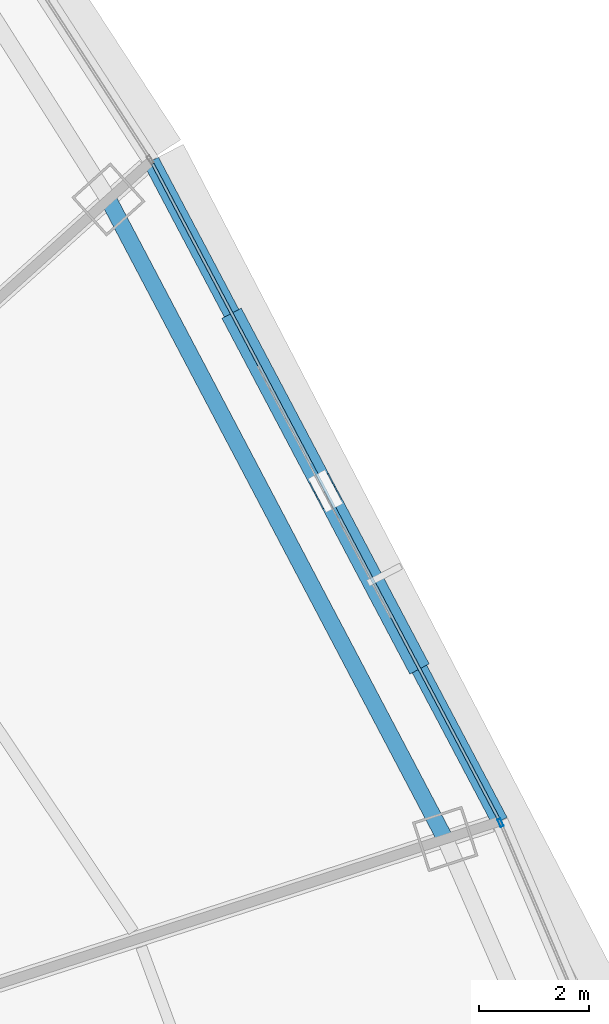
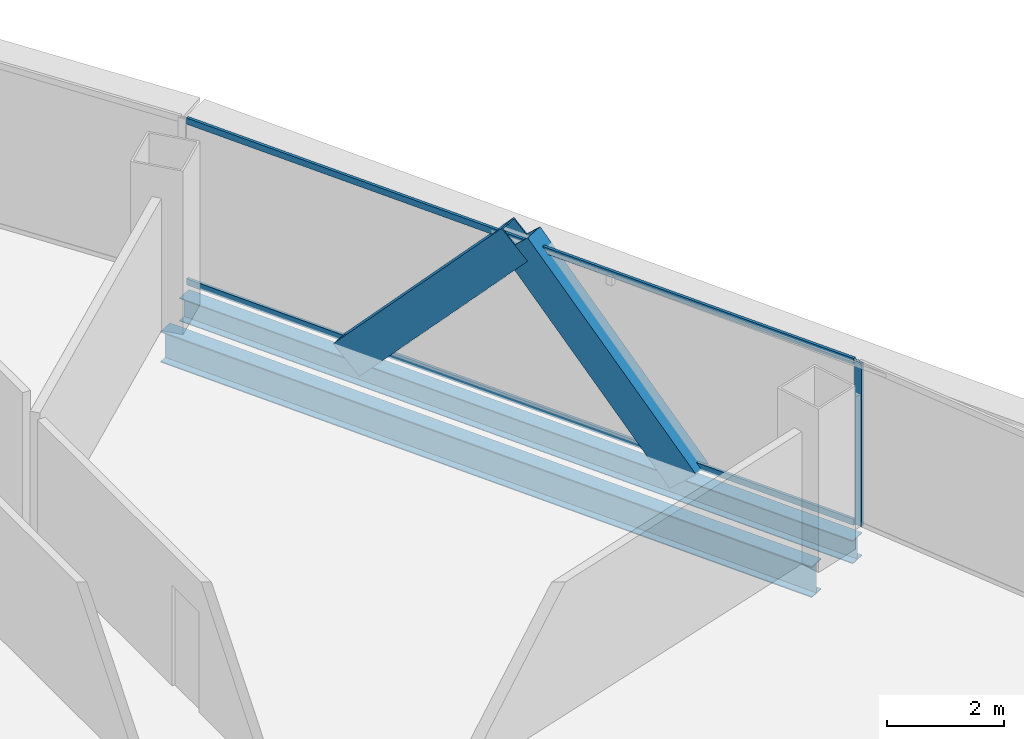
# One storey, part 28 of 39: 5 members, 2 beams, 2 elements without a shape of their own.
"""IFC4 building model written with IfcOpenShell, lengths in metres."""

from ifc_helpers import new_model, si_unit, direction, frame, origin, origin_2d, place, context, subcontext, project, spatial, hollow_rectangle, i_section, extrude, source, transform, mapped, material, layer, layer_set, material_profile, profile_set, type_object, element, aggregate, save


model = new_model("IFC4")

# Units and contexts
model_context = context("Model", 3, precision=1e-05, world=origin(), true_north=direction((0.0, 1.0)))
body_context = subcontext(model_context, "Body", "Model", "MODEL_VIEW")
ifc_project = project(units=[si_unit("LENGTHUNIT", "METRE"), si_unit("AREAUNIT", "SQUARE_METRE"), si_unit("VOLUMEUNIT", "CUBIC_METRE"), si_unit("PLANEANGLEUNIT", "RADIAN"), si_unit("MASSUNIT", "GRAM", prefix="KILO"), si_unit("THERMODYNAMICTEMPERATUREUNIT", "KELVIN"), si_unit("POWERUNIT", "WATT")], contexts=[model_context])

# Site, building, storey
site_placement = place(None, origin())
site = spatial("IfcSite", under=ifc_project, at=site_placement, CompositionType="ELEMENT")
building_placement = place(site_placement, origin())
building = spatial("IfcBuilding", under=site, at=building_placement, Name="Yunzhuo Pagoda Commons", CompositionType="ELEMENT")
storey_placement = place(building_placement, frame((0.0, 0.0, 162.949951171875)))
storey = spatial("IfcBuildingStorey", under=building, at=storey_placement, Name="L41", CompositionType="ELEMENT", Elevation=162.949951171875)

# Beams
ifc_material_1 = material(Name="Structural steel Q355B", Category="steel")
ifc_material_profile_1 = material_profile(ifc_material_1, i_section(OverallWidth=0.300048828125, OverallDepth=0.64990234375, WebThickness=0.012939453125, FlangeThickness=0.02197265625, at=origin_2d()), Name="Structural steel Q355B")
ifc_profile_set_1 = profile_set([ifc_material_profile_1], Name="Structural steel Q355B")
beam_type_1 = type_object("IfcBeamType", Name="B-RG2 Beam HN 650x300x13x22", PredefinedType="BEAM", material=ifc_profile_set_1)
shared_shape_1 = source(origin(), body_context, "Body", "SweptSolid", [
    extrude(i_section(OverallWidth=0.300048828125, OverallDepth=0.64990234375, WebThickness=0.012939453125, FlangeThickness=0.02197265625, at=origin_2d()), origin(), (0.0, 0.0, 1.0), 13.198974609375),
])
beam_1_placement = place(storey_placement, frame((77.915283203125, 43.420166015625, -0.5849609375), z_axis=(-0.465885937554, 0.884844784801, 0.0), x_axis=(-0.884844784801, -0.465885937554, 0.0)))
element("IfcBeam", 1, at=beam_1_placement, inside=storey, type_object=beam_type_1, Name="L41 column-ring beam 6", PredefinedType="BEAM", context=body_context, shape_type="MappedRepresentation", body=[
    mapped(shared_shape_1, transform((0.0, 0.0, 0.0), scale=1.0)),
])
ifc_material_profile_2 = material_profile(ifc_material_1, i_section(OverallWidth=0.300048828125, OverallDepth=0.488037109375, WebThickness=0.010986328125, FlangeThickness=0.01806640625, at=origin_2d()), Name="Structural steel Q355B")
ifc_profile_set_2 = profile_set([ifc_material_profile_2], Name="Structural steel Q355B")
beam_type_2 = type_object("IfcBeamType", Name="B-SP1 Beam HM 488x300x11x18", PredefinedType="BEAM", material=ifc_profile_set_2)
shared_shape_2 = source(origin(), body_context, "Body", "SweptSolid", [
    extrude(i_section(OverallWidth=0.300048828125, OverallDepth=0.488037109375, WebThickness=0.010986328125, FlangeThickness=0.01806640625, at=origin_2d()), origin(), (0.0, 0.0, 1.0), 13.63525390625),
])
beam_2_placement = place(storey_placement, frame((78.913818359375, 43.74462890625, -0.50390625), z_axis=(-0.466985007002, 0.884265233533, 0.0), x_axis=(-0.884265233533, -0.466985007002, 0.0)))
element("IfcBeam", 2, at=beam_2_placement, inside=storey, type_object=beam_type_2, Name="L41 facade edge spandrel beam F2.2", PredefinedType="BEAM", context=body_context, shape_type="MappedRepresentation", body=[
    mapped(shared_shape_2, transform((0.0, 0.0, 0.0), scale=1.0)),
])

# Members
ifc_material_profile_3 = material_profile(ifc_material_1, hollow_rectangle(XDim=0.39990234375, YDim=0.719970703125, WallThickness=0.02392578125, at=origin_2d()), Name="Structural steel Q355B")
ifc_profile_set_3 = profile_set([ifc_material_profile_3], Name="Structural steel Q355B")
member_type_1 = type_object("IfcMemberType", Name="M-DL2 Brace BOX 720x400x24", PredefinedType="BRACE", material=ifc_profile_set_3)
shared_shape_3 = source(origin(), body_context, "Body", "SweptSolid", [
    extrude(hollow_rectangle(XDim=0.39990234375, YDim=0.719970703125, WallThickness=0.02392578125, at=origin_2d()), origin(), (0.0, 0.0, 1.0), 5.016357421875),
])
for number, where, z_axis, x_axis, name in (
    (3, (77.322265625, 46.7587890625, -0.260009765625), (-0.317363122913, 0.600902082288, 0.733619339792), (-0.884250862054, -0.46701221928, 0.0), "L41 facade diamond brace F2.2L"),
    (4, (74.13818359375, 52.78759765625, -0.260009765625), (0.317363122913, -0.600902082288, 0.733619339792), (0.884250862054, 0.46701221928, 0.0), "L41 facade diamond brace F2.2R"),
):
    element("IfcMember", number, at=place(storey_placement, frame(where, z_axis=z_axis, x_axis=x_axis)), inside=storey, type_object=member_type_1, Name=name, PredefinedType="BRACE", context=body_context, shape_type="MappedRepresentation", body=[
        mapped(shared_shape_3, transform((0.0, 0.0, 0.0), scale=1.0)),
    ])

# Curtain wall, member
ifc_material_2 = material(Name="Anodized aluminium 6063-T6", Category="aluminium")
ifc_layer = layer(ifc_material_2, 0.14990234375)
ifc_layer_set = layer_set([ifc_layer], Name="Anodized aluminium 6063-T6")
curtain_wall_type = type_object("IfcCurtainWallType", Name="CW-MID Mid-Zone Ribbon Curtain Wall", PredefinedType="NOTDEFINED", material=ifc_layer_set)
curtain_wall_1_placement = place(storey_placement, origin())
curtain_wall_1 = element("IfcCurtainWall", 5, at=curtain_wall_1_placement, inside=storey, type_object=curtain_wall_type, Name="L41 curtain wall CW-L41-F2B2", PredefinedType="NOTDEFINED")
ifc_material_profile_4 = material_profile(ifc_material_2, hollow_rectangle(XDim=0.06005859375, YDim=0.14990234375, WallThickness=0.00390625, at=origin_2d()), Name="Anodized aluminium 6063-T6")
ifc_profile_set_4 = profile_set([ifc_material_profile_4], Name="Anodized aluminium 6063-T6")
member_type_2 = type_object("IfcMemberType", Name="CW-MID-M Mullion RHS 150x60x4", PredefinedType="MULLION", material=ifc_profile_set_4)
shared_shape_4 = source(origin(), body_context, "Body", "SweptSolid", [
    extrude(hollow_rectangle(XDim=0.06005859375, YDim=0.14990234375, WallThickness=0.00390625, at=origin_2d()), origin(), (0.0, 0.0, 1.0), 3.420166015625),
])
member_1_placement = place(storey_placement, frame((78.925537109375, 43.717041015625, 0.0), z_axis=(0.0, 0.0, 1.0), x_axis=(-0.920363798122, -0.391063267395, 0.0)))
member_1 = element("IfcMember", 6, at=member_1_placement, type_object=member_type_2, Name="CW mullion 2", PredefinedType="MULLION", context=body_context, shape_type="MappedRepresentation", body=[
    mapped(shared_shape_4, transform((0.0, 0.0, 0.0), scale=1.0)),
])
aggregate(curtain_wall_1, [member_1])

# Curtain wall, members
curtain_wall_2_placement = place(storey_placement, origin())
curtain_wall_2 = element("IfcCurtainWall", 7, at=curtain_wall_2_placement, inside=storey, type_object=curtain_wall_type, Name="L41 curtain wall CW-L41-F2B3", PredefinedType="NOTDEFINED")
ifc_material_profile_5 = material_profile(ifc_material_2, hollow_rectangle(XDim=0.054931640625, YDim=0.1298828125, WallThickness=0.00341796875, at=origin_2d()), Name="Anodized aluminium 6063-T6")
ifc_profile_set_5 = profile_set([ifc_material_profile_5], Name="Anodized aluminium 6063-T6")
member_type_3 = type_object("IfcMemberType", Name="CW-MID-T Transom RHS 130x55x3.5", PredefinedType="USERDEFINED", material=ifc_profile_set_5)
shared_shape_5 = source(origin(), body_context, "Body", "SweptSolid", [
    extrude(hollow_rectangle(XDim=0.054931640625, YDim=0.1298828125, WallThickness=0.00341796875, at=origin_2d()), origin(), (0.0, 0.0, 1.0), 13.51513671875),
])
member_2_placement = place(storey_placement, frame((78.885986328125, 43.797607421875, 0.027587890625), z_axis=(-0.466995257816, 0.88425981995, 0.0), x_axis=(-0.88425981995, -0.466995257816, 0.0)))
member_2 = element("IfcMember", 8, at=member_2_placement, type_object=member_type_3, Name="CW transom 1.1", ObjectType="TRANSOM", PredefinedType="USERDEFINED", context=body_context, shape_type="MappedRepresentation", body=[
    mapped(shared_shape_5, transform((0.0, 0.0, 0.0), scale=1.0)),
])
member_3_placement = place(storey_placement, frame((78.885986328125, 43.797607421875, 3.392578125), z_axis=(-0.466995257816, 0.88425981995, 0.0), x_axis=(-0.88425981995, -0.466995257816, 0.0)))
member_3 = element("IfcMember", 9, at=member_3_placement, type_object=member_type_3, Name="CW transom 1.2", ObjectType="TRANSOM", PredefinedType="USERDEFINED", context=body_context, shape_type="MappedRepresentation", body=[
    mapped(shared_shape_5, transform((0.0, 0.0, 0.0), scale=1.0)),
])
aggregate(curtain_wall_2, [member_2, member_3])

save(model, "model.ifc")
